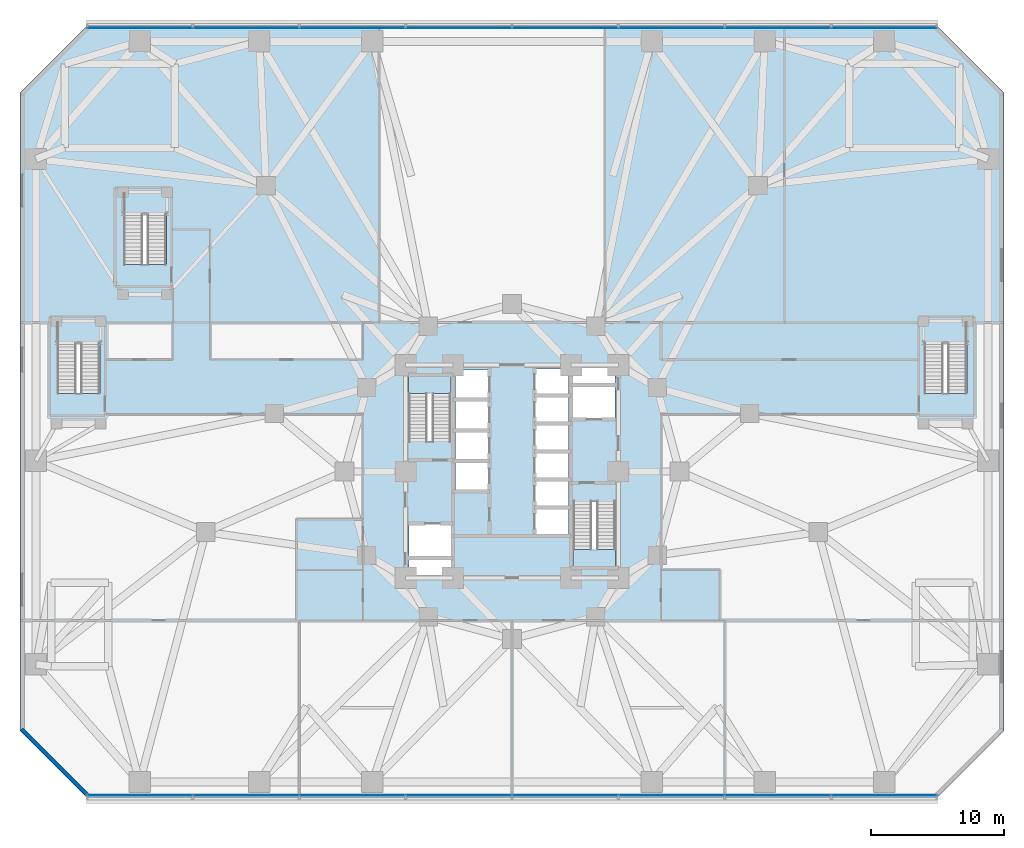
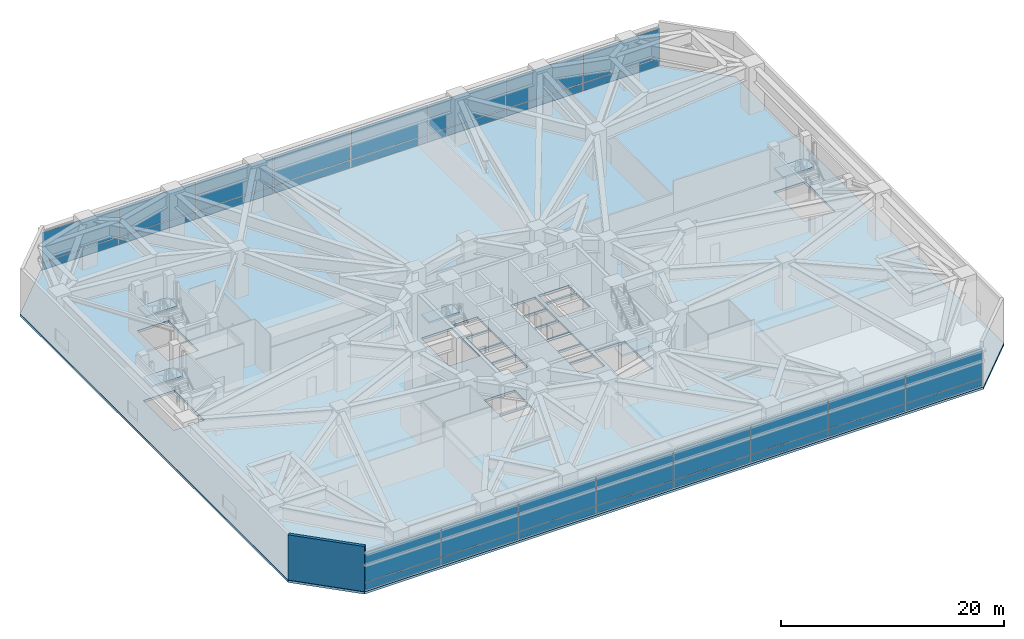
# One storey, part 14 of 27: 32 plates, 6 slabs, 1 wall, 7 elements without a shape of their own.
"""IFC4 building model written with IfcOpenShell, lengths in metres."""

from ifc_helpers import new_model, si_unit, direction, frame, frame_2d, origin, origin_2d, place, context, subcontext, project, spatial, polyline, rectangle, outline, extrude, material, layer, layer_set, type_object, element, aggregate, save


model = new_model("IFC4")

# Units and contexts
model_context = context("Model", 3, precision=1e-05, world=origin(), true_north=direction((0.0, 1.0)))
body_context = subcontext(model_context, "Body", "Model", "MODEL_VIEW")
ifc_project = project(units=[si_unit("LENGTHUNIT", "METRE"), si_unit("AREAUNIT", "SQUARE_METRE"), si_unit("VOLUMEUNIT", "CUBIC_METRE"), si_unit("PLANEANGLEUNIT", "RADIAN"), si_unit("MASSUNIT", "GRAM", prefix="KILO")], contexts=[model_context])

# Site, building, storey
site_placement = place(None, origin())
site = spatial("IfcSite", under=ifc_project, at=site_placement, CompositionType="ELEMENT")
building_placement = place(site_placement, origin())
building = spatial("IfcBuilding", under=site, at=building_placement, Name="Terralouvre Media Tower", CompositionType="ELEMENT")
storey_placement = place(building_placement, frame((0.0, 0.0, 20.800048828125)))
storey = spatial("IfcBuildingStorey", under=building, at=storey_placement, Name="L04", CompositionType="ELEMENT", Elevation=20.800048828125)

# Slab
ifc_material_1 = material(Name="Concrete C45/55", Category="concrete")
ifc_layer_1 = layer(ifc_material_1, 0.25, Name="Podium Acoustic Studio Slab S-POD250")
ifc_layer_set_1 = layer_set([ifc_layer_1], Name="Concrete C45/55")
slab_type_1 = type_object("IfcSlabType", Name="Podium Acoustic Studio Slab S-POD250", PredefinedType="FLOOR", material=ifc_layer_set_1)
slab_1_placement = place(storey_placement, frame((0.0, 0.0, -0.25)))
element("IfcSlab", 1, at=slab_1_placement, inside=storey, type_object=slab_type_1, Name="L04 Structural Floor Slab", PredefinedType="FLOOR", context=body_context, shape_type="SweptSolid", body=[
    extrude(outline(polyline([(-32.0, -24.5), (32.0, -24.5), (37.0, -19.5), (37.0, 28.5), (32.0, 33.5), (-32.0, 33.5), (-37.0, 28.5), (-37.0, -19.5), (-32.0, -24.5)]), holes=[polyline([(-4.60009765625, -7.800048828125), (-7.75, -7.800048828125), (-7.75, -6.60009765625), (-4.60009765625, -6.60009765625), (-4.60009765625, -7.800048828125)]), polyline([(-4.60009765625, -6.39990234375), (-7.75, -6.39990234375), (-7.75, -3.949951171875), (-4.60009765625, -3.949951171875), (-4.60009765625, -6.39990234375)]), polyline([(-1.75, -1.419921875), (-4.25, -1.419921875), (-4.25, 0.719970703125), (-1.75, 0.719970703125), (-1.75, -1.419921875)]), polyline([(4.25, -0.52001953125), (1.75, -0.52001953125), (1.75, 1.419921875), (4.25, 1.419921875), (4.25, -0.52001953125)]), polyline([(-1.75, 0.8798828125), (-4.25, 0.8798828125), (-4.25, 3.02001953125), (-1.75, 3.02001953125), (-1.75, 0.8798828125)]), polyline([(-1.75, 3.179931640625), (-4.25, 3.179931640625), (-4.25, 5.320068359375), (-1.75, 5.320068359375), (-1.75, 3.179931640625)]), polyline([(-4.60009765625, 2.2451171875), (-7.780029296875, 2.2451171875), (-7.780029296875, 7.260009765625), (-4.60009765625, 7.260009765625), (-4.60009765625, 2.2451171875)]), polyline([(-4.25, 5.47998046875), (-4.25, 7.6201171875), (-1.75, 7.6201171875), (-1.75, 5.47998046875), (-4.25, 5.47998046875)]), polyline([(-34.199951171875, 5.875), (-34.199951171875, 11.25), (-31.0, 11.25), (-31.0, 5.875), (-34.199951171875, 5.875)]), polyline([(-26.0, 15.574951171875), (-29.199951171875, 15.574951171875), (-29.199951171875, 20.949951171875), (-26.0, 20.949951171875), (-26.0, 15.574951171875)]), polyline([(4.60009765625, -2.2451171875), (7.780029296875, -2.2451171875), (7.780029296875, -7.260009765625), (4.60009765625, -7.260009765625), (4.60009765625, -2.2451171875)]), polyline([(4.25, -4.719970703125), (1.75, -4.719970703125), (1.75, -2.780029296875), (4.25, -2.780029296875), (4.25, -4.719970703125)]), polyline([(1.75, -2.6201171875), (1.75, -0.679931640625), (4.25, -0.679931640625), (4.25, -2.6201171875), (1.75, -2.6201171875)]), polyline([(1.75, 1.580078125), (1.75, 3.52001953125), (4.25, 3.52001953125), (4.25, 1.580078125), (1.75, 1.580078125)]), polyline([(4.25, 3.679931640625), (1.75, 3.679931640625), (1.75, 5.6201171875), (4.25, 5.6201171875), (4.25, 3.679931640625)]), polyline([(7.75, 3.949951171875), (4.60009765625, 3.949951171875), (4.60009765625, 6.39990234375), (7.75, 6.39990234375), (7.75, 3.949951171875)]), polyline([(4.25, 5.780029296875), (1.75, 5.780029296875), (1.75, 7.719970703125), (4.25, 7.719970703125), (4.25, 5.780029296875)]), polyline([(4.60009765625, 6.60009765625), (4.60009765625, 7.800048828125), (7.75, 7.800048828125), (7.75, 6.60009765625), (4.60009765625, 6.60009765625)]), polyline([(31.0, 5.875), (31.0, 11.25), (34.199951171875, 11.25), (34.199951171875, 5.875), (31.0, 5.875)])]), origin(), (0.0, 0.0, 1.0), 0.25),
])

# Stair, slab
ifc_material_2 = material(Name="Concrete C45/55", Category="concrete")
stair_type_1 = type_object("IfcStairType", Name="Dogleg Stair Assembly ST-01", PredefinedType="HALF_TURN_STAIR", material=ifc_material_2)
stair_1_placement = place(storey_placement, origin())
stair_1 = element("IfcStair", 2, at=stair_1_placement, inside=storey, type_object=stair_type_1, Name="L04 Core Pressurised Exit Stair ST-01", PredefinedType="HALF_TURN_STAIR")
ifc_material_3 = material(Name="Concrete C45/55", Category="concrete")
ifc_layer_2 = layer(ifc_material_3, 0.199951171875, Name="Reinforced Concrete Stair Half-Landing SL-LD1")
ifc_layer_set_2 = layer_set([ifc_layer_2], Name="Concrete C45/55")
slab_type_2 = type_object("IfcSlabType", Name="Reinforced Concrete Stair Half-Landing SL-LD1", PredefinedType="LANDING", material=ifc_layer_set_2)
slab_2_placement = place(storey_placement, frame((0.0, 0.0, 2.39990234375)))
slab_2 = element("IfcSlab", 3, at=slab_2_placement, type_object=slab_type_2, Name="ST-01 landing 1", PredefinedType="LANDING", context=body_context, shape_type="SweptSolid", body=[
    extrude(outline(polyline([(-4.60009765625, 5.860107421875), (-4.60009765625, 7.260009765625), (-7.780029296875, 7.260009765625), (-7.780029296875, 5.860107421875), (-4.60009765625, 5.860107421875)])), origin(), (0.0, 0.0, 1.0), 0.199951171875),
])
aggregate(stair_1, [slab_2])

ifc_material_4 = material(Name="Concrete C45/55", Category="concrete")
stair_type_2 = type_object("IfcStairType", Name="Dogleg Stair Assembly ST-02", PredefinedType="HALF_TURN_STAIR", material=ifc_material_4)
stair_2_placement = place(storey_placement, origin())
stair_2 = element("IfcStair", 4, at=stair_2_placement, inside=storey, type_object=stair_type_2, Name="L04 Core Pressurised Exit Stair ST-02", PredefinedType="HALF_TURN_STAIR")
slab_3_placement = place(storey_placement, frame((0.0, 0.0, 2.39990234375)))
slab_3 = element("IfcSlab", 5, at=slab_3_placement, type_object=slab_type_2, Name="ST-02 landing 1", PredefinedType="LANDING", context=body_context, shape_type="SweptSolid", body=[
    extrude(outline(polyline([(4.60009765625, -5.860107421875), (4.60009765625, -7.260009765625), (7.780029296875, -7.260009765625), (7.780029296875, -5.860107421875), (4.60009765625, -5.860107421875)])), origin(), (0.0, 0.0, 1.0), 0.199951171875),
])
aggregate(stair_2, [slab_3])

ifc_material_5 = material(Name="Concrete C45/55", Category="concrete")
stair_type_3 = type_object("IfcStairType", Name="Dogleg Stair Assembly ST-03", PredefinedType="HALF_TURN_STAIR", material=ifc_material_5)
stair_3_placement = place(storey_placement, origin())
stair_3 = element("IfcStair", 6, at=stair_3_placement, inside=storey, type_object=stair_type_3, Name="L04 West Podium Exit Stair ST-03", PredefinedType="HALF_TURN_STAIR")
slab_4_placement = place(storey_placement, frame((0.0, 0.0, 2.39990234375)))
slab_4 = element("IfcSlab", 7, at=slab_4_placement, type_object=slab_type_2, Name="ST-03 landing 1", PredefinedType="LANDING", context=body_context, shape_type="SweptSolid", body=[
    extrude(outline(polyline([(-31.0, 9.6298828125), (-31.0, 11.25), (-34.199951171875, 11.25), (-34.199951171875, 9.6298828125), (-31.0, 9.6298828125)])), origin(), (0.0, 0.0, 1.0), 0.199951171875),
])
aggregate(stair_3, [slab_4])

ifc_material_6 = material(Name="Concrete C45/55", Category="concrete")
stair_type_4 = type_object("IfcStairType", Name="Dogleg Stair Assembly ST-04", PredefinedType="HALF_TURN_STAIR", material=ifc_material_6)
stair_4_placement = place(storey_placement, origin())
stair_4 = element("IfcStair", 8, at=stair_4_placement, inside=storey, type_object=stair_type_4, Name="L04 East Podium Exit Stair ST-04", PredefinedType="HALF_TURN_STAIR")
slab_5_placement = place(storey_placement, frame((0.0, 0.0, 2.39990234375)))
slab_5 = element("IfcSlab", 9, at=slab_5_placement, type_object=slab_type_2, Name="ST-04 landing 1", PredefinedType="LANDING", context=body_context, shape_type="SweptSolid", body=[
    extrude(outline(polyline([(34.199951171875, 9.6298828125), (34.199951171875, 11.25), (31.0, 11.25), (31.0, 9.6298828125), (34.199951171875, 9.6298828125)])), origin(), (0.0, 0.0, 1.0), 0.199951171875),
])
aggregate(stair_4, [slab_5])

ifc_material_7 = material(Name="Concrete C45/55", Category="concrete")
stair_type_5 = type_object("IfcStairType", Name="Dogleg Stair Assembly ST-06", PredefinedType="HALF_TURN_STAIR", material=ifc_material_7)
stair_5_placement = place(storey_placement, origin())
stair_5 = element("IfcStair", 10, at=stair_5_placement, inside=storey, type_object=stair_type_5, Name="L04 Podium Garden Visitor Stair ST-06", PredefinedType="HALF_TURN_STAIR")
slab_6_placement = place(storey_placement, frame((0.0, 0.0, 2.39990234375)))
slab_6 = element("IfcSlab", 11, at=slab_6_placement, type_object=slab_type_2, Name="ST-06 landing 1", PredefinedType="LANDING", context=body_context, shape_type="SweptSolid", body=[
    extrude(outline(polyline([(-26.0, 19.330078125), (-26.0, 20.949951171875), (-29.199951171875, 20.949951171875), (-29.199951171875, 19.330078125), (-26.0, 19.330078125)])), origin(), (0.0, 0.0, 1.0), 0.199951171875),
])
aggregate(stair_5, [slab_6])

# Curtain wall, plates
ifc_material_8 = material(Name="Low-iron laminated double glazing with solar-control coating", Category="glass")
ifc_layer_3 = layer(ifc_material_8, 0.1650390625, Name="Podium Broadcast Gallery Glazing CW-01")
ifc_layer_set_3 = layer_set([ifc_layer_3], Name="Low-iron laminated double glazing with solar-control coating")
curtain_wall_type = type_object("IfcCurtainWallType", Name="Podium Broadcast Gallery Glazing CW-01", PredefinedType="NOTDEFINED", material=ifc_layer_set_3)
curtain_wall_1_placement = place(storey_placement, origin())
curtain_wall_1 = element("IfcCurtainWall", 12, at=curtain_wall_1_placement, inside=storey, type_object=curtain_wall_type, Name="L04 Podium Curtain Wall F0", PredefinedType="NOTDEFINED")
ifc_material_9 = material(Name="Low-iron laminated double glazing with solar-control coating", Category="glass")
ifc_layer_4 = layer(ifc_material_9, 0.035888671875, Name="Vision Double-Glazed Unit CWP-01")
ifc_layer_set_4 = layer_set([ifc_layer_4], Name="Low-iron laminated double glazing with solar-control coating")
plate_type = type_object("IfcPlateType", Name="Vision Double-Glazed Unit CWP-01", PredefinedType="CURTAIN_PANEL", material=ifc_layer_set_4)
plate_1_placement = place(storey_placement, frame((-27.981201171875, -24.360107421875, 0.074951171875), z_axis=(0.0, 0.0, 1.0), x_axis=(1.0, 0.0, 0.0)))
plate_1 = element("IfcPlate", 13, at=plate_1_placement, type_object=plate_type, Name="CW-01 panel 1.1", PredefinedType="CURTAIN_PANEL", context=body_context, shape_type="SweptSolid", body=[
    extrude(rectangle(XDim=7.887451171875, YDim=0.035888671875, at=origin_2d()), origin(), (0.0, 0.0, 1.0), 0.78759765625),
])
plate_2_placement = place(storey_placement, frame((-27.981201171875, -24.360107421875, 0.9375), z_axis=(0.0, 0.0, 1.0), x_axis=(1.0, 0.0, 0.0)))
plate_2 = element("IfcPlate", 14, at=plate_2_placement, type_object=plate_type, Name="CW-01 panel 1.2", PredefinedType="CURTAIN_PANEL", context=body_context, shape_type="SweptSolid", body=[
    extrude(rectangle(XDim=7.887451171875, YDim=0.035888671875, at=origin_2d()), origin(), (0.0, 0.0, 1.0), 3.20751953125),
])
plate_3_placement = place(storey_placement, frame((-20.0, -24.360107421875, 0.074951171875), z_axis=(0.0, 0.0, 1.0), x_axis=(1.0, 0.0, 0.0)))
plate_3 = element("IfcPlate", 15, at=plate_3_placement, type_object=plate_type, Name="CW-01 panel 2.1", PredefinedType="CURTAIN_PANEL", context=body_context, shape_type="SweptSolid", body=[
    extrude(rectangle(XDim=7.925048828125, YDim=0.035888671875, at=origin_2d()), origin(), (0.0, 0.0, 1.0), 0.78759765625),
])
plate_4_placement = place(storey_placement, frame((-20.0, -24.360107421875, 0.9375), z_axis=(0.0, 0.0, 1.0), x_axis=(1.0, 0.0, 0.0)))
plate_4 = element("IfcPlate", 16, at=plate_4_placement, type_object=plate_type, Name="CW-01 panel 2.2", PredefinedType="CURTAIN_PANEL", context=body_context, shape_type="SweptSolid", body=[
    extrude(rectangle(XDim=7.925048828125, YDim=0.035888671875, at=origin_2d()), origin(), (0.0, 0.0, 1.0), 3.20751953125),
])
plate_5_placement = place(storey_placement, frame((-12.0, -24.360107421875, 0.074951171875), z_axis=(0.0, 0.0, 1.0), x_axis=(1.0, 0.0, 0.0)))
plate_5 = element("IfcPlate", 17, at=plate_5_placement, type_object=plate_type, Name="CW-01 panel 3.1", PredefinedType="CURTAIN_PANEL", context=body_context, shape_type="SweptSolid", body=[
    extrude(rectangle(XDim=7.925048828125, YDim=0.035888671875, at=origin_2d()), origin(), (0.0, 0.0, 1.0), 0.78759765625),
])
plate_6_placement = place(storey_placement, frame((-12.0, -24.360107421875, 0.9375), z_axis=(0.0, 0.0, 1.0), x_axis=(1.0, 0.0, 0.0)))
plate_6 = element("IfcPlate", 18, at=plate_6_placement, type_object=plate_type, Name="CW-01 panel 3.2", PredefinedType="CURTAIN_PANEL", context=body_context, shape_type="SweptSolid", body=[
    extrude(rectangle(XDim=7.925048828125, YDim=0.035888671875, at=origin_2d()), origin(), (0.0, 0.0, 1.0), 3.20751953125),
])
plate_7_placement = place(storey_placement, frame((-4.0, -24.360107421875, 0.074951171875), z_axis=(0.0, 0.0, 1.0), x_axis=(1.0, 0.0, 0.0)))
plate_7 = element("IfcPlate", 19, at=plate_7_placement, type_object=plate_type, Name="CW-01 panel 4.1", PredefinedType="CURTAIN_PANEL", context=body_context, shape_type="SweptSolid", body=[
    extrude(rectangle(XDim=7.925048828125, YDim=0.035888671875, at=origin_2d()), origin(), (0.0, 0.0, 1.0), 0.78759765625),
])
plate_8_placement = place(storey_placement, frame((-4.0, -24.360107421875, 0.9375), z_axis=(0.0, 0.0, 1.0), x_axis=(1.0, 0.0, 0.0)))
plate_8 = element("IfcPlate", 20, at=plate_8_placement, type_object=plate_type, Name="CW-01 panel 4.2", PredefinedType="CURTAIN_PANEL", context=body_context, shape_type="SweptSolid", body=[
    extrude(rectangle(XDim=7.925048828125, YDim=0.035888671875, at=origin_2d()), origin(), (0.0, 0.0, 1.0), 3.20751953125),
])
plate_9_placement = place(storey_placement, frame((4.0, -24.360107421875, 0.074951171875), z_axis=(0.0, 0.0, 1.0), x_axis=(1.0, 0.0, 0.0)))
plate_9 = element("IfcPlate", 21, at=plate_9_placement, type_object=plate_type, Name="CW-01 panel 5.1", PredefinedType="CURTAIN_PANEL", context=body_context, shape_type="SweptSolid", body=[
    extrude(rectangle(XDim=7.925048828125, YDim=0.035888671875, at=origin_2d()), origin(), (0.0, 0.0, 1.0), 0.78759765625),
])
plate_10_placement = place(storey_placement, frame((4.0, -24.360107421875, 0.9375), z_axis=(0.0, 0.0, 1.0), x_axis=(1.0, 0.0, 0.0)))
plate_10 = element("IfcPlate", 22, at=plate_10_placement, type_object=plate_type, Name="CW-01 panel 5.2", PredefinedType="CURTAIN_PANEL", context=body_context, shape_type="SweptSolid", body=[
    extrude(rectangle(XDim=7.925048828125, YDim=0.035888671875, at=origin_2d()), origin(), (0.0, 0.0, 1.0), 3.20751953125),
])
plate_11_placement = place(storey_placement, frame((12.0, -24.360107421875, 0.074951171875), z_axis=(0.0, 0.0, 1.0), x_axis=(1.0, 0.0, 0.0)))
plate_11 = element("IfcPlate", 23, at=plate_11_placement, type_object=plate_type, Name="CW-01 panel 6.1", PredefinedType="CURTAIN_PANEL", context=body_context, shape_type="SweptSolid", body=[
    extrude(rectangle(XDim=7.925048828125, YDim=0.035888671875, at=origin_2d()), origin(), (0.0, 0.0, 1.0), 0.78759765625),
])
plate_12_placement = place(storey_placement, frame((12.0, -24.360107421875, 0.9375), z_axis=(0.0, 0.0, 1.0), x_axis=(1.0, 0.0, 0.0)))
plate_12 = element("IfcPlate", 24, at=plate_12_placement, type_object=plate_type, Name="CW-01 panel 6.2", PredefinedType="CURTAIN_PANEL", context=body_context, shape_type="SweptSolid", body=[
    extrude(rectangle(XDim=7.925048828125, YDim=0.035888671875, at=origin_2d()), origin(), (0.0, 0.0, 1.0), 3.20751953125),
])
plate_13_placement = place(storey_placement, frame((20.0, -24.360107421875, 0.074951171875), z_axis=(0.0, 0.0, 1.0), x_axis=(1.0, 0.0, 0.0)))
plate_13 = element("IfcPlate", 25, at=plate_13_placement, type_object=plate_type, Name="CW-01 panel 7.1", PredefinedType="CURTAIN_PANEL", context=body_context, shape_type="SweptSolid", body=[
    extrude(rectangle(XDim=7.925048828125, YDim=0.035888671875, at=origin_2d()), origin(), (0.0, 0.0, 1.0), 0.78759765625),
])
plate_14_placement = place(storey_placement, frame((20.0, -24.360107421875, 0.9375), z_axis=(0.0, 0.0, 1.0), x_axis=(1.0, 0.0, 0.0)))
plate_14 = element("IfcPlate", 26, at=plate_14_placement, type_object=plate_type, Name="CW-01 panel 7.2", PredefinedType="CURTAIN_PANEL", context=body_context, shape_type="SweptSolid", body=[
    extrude(rectangle(XDim=7.925048828125, YDim=0.035888671875, at=origin_2d()), origin(), (0.0, 0.0, 1.0), 3.20751953125),
])
plate_15_placement = place(storey_placement, frame((27.981201171875, -24.360107421875, 0.074951171875), z_axis=(0.0, 0.0, 1.0), x_axis=(1.0, 0.0, 0.0)))
plate_15 = element("IfcPlate", 27, at=plate_15_placement, type_object=plate_type, Name="CW-01 panel 8.1", PredefinedType="CURTAIN_PANEL", context=body_context, shape_type="SweptSolid", body=[
    extrude(rectangle(XDim=7.887451171875, YDim=0.035888671875, at=origin_2d()), origin(), (0.0, 0.0, 1.0), 0.78759765625),
])
plate_16_placement = place(storey_placement, frame((27.981201171875, -24.360107421875, 0.9375), z_axis=(0.0, 0.0, 1.0), x_axis=(1.0, 0.0, 0.0)))
plate_16 = element("IfcPlate", 28, at=plate_16_placement, type_object=plate_type, Name="CW-01 panel 8.2", PredefinedType="CURTAIN_PANEL", context=body_context, shape_type="SweptSolid", body=[
    extrude(rectangle(XDim=7.887451171875, YDim=0.035888671875, at=origin_2d()), origin(), (0.0, 0.0, 1.0), 3.20751953125),
])
aggregate(curtain_wall_1, [plate_1, plate_2, plate_3, plate_4, plate_5, plate_6, plate_7, plate_8, plate_9, plate_10, plate_11, plate_12, plate_13, plate_14, plate_15, plate_16])

curtain_wall_2_placement = place(storey_placement, origin())
curtain_wall_2 = element("IfcCurtainWall", 29, at=curtain_wall_2_placement, inside=storey, type_object=curtain_wall_type, Name="L04 Podium Curtain Wall F4", PredefinedType="NOTDEFINED")
plate_17_placement = place(storey_placement, frame((27.981201171875, 33.360107421875, 0.074951171875), z_axis=(0.0, 0.0, 1.0), x_axis=(-1.0, 0.0, 0.0)))
plate_17 = element("IfcPlate", 30, at=plate_17_placement, type_object=plate_type, Name="CW-01 panel 1.1", PredefinedType="CURTAIN_PANEL", context=body_context, shape_type="SweptSolid", body=[
    extrude(rectangle(XDim=7.887451171875, YDim=0.035888671875, at=origin_2d()), origin(), (0.0, 0.0, 1.0), 0.78759765625),
])
plate_18_placement = place(storey_placement, frame((27.981201171875, 33.360107421875, 0.9375), z_axis=(0.0, 0.0, 1.0), x_axis=(-1.0, 0.0, 0.0)))
plate_18 = element("IfcPlate", 31, at=plate_18_placement, type_object=plate_type, Name="CW-01 panel 1.2", PredefinedType="CURTAIN_PANEL", context=body_context, shape_type="SweptSolid", body=[
    extrude(rectangle(XDim=7.887451171875, YDim=0.035888671875, at=origin_2d()), origin(), (0.0, 0.0, 1.0), 3.20751953125),
])
plate_19_placement = place(storey_placement, frame((20.0, 33.360107421875, 0.074951171875), z_axis=(0.0, 0.0, 1.0), x_axis=(-1.0, 0.0, 0.0)))
plate_19 = element("IfcPlate", 32, at=plate_19_placement, type_object=plate_type, Name="CW-01 panel 2.1", PredefinedType="CURTAIN_PANEL", context=body_context, shape_type="SweptSolid", body=[
    extrude(rectangle(XDim=7.925048828125, YDim=0.035888671875, at=origin_2d()), origin(), (0.0, 0.0, 1.0), 0.78759765625),
])
plate_20_placement = place(storey_placement, frame((20.0, 33.360107421875, 0.9375), z_axis=(0.0, 0.0, 1.0), x_axis=(-1.0, 0.0, 0.0)))
plate_20 = element("IfcPlate", 33, at=plate_20_placement, type_object=plate_type, Name="CW-01 panel 2.2", PredefinedType="CURTAIN_PANEL", context=body_context, shape_type="SweptSolid", body=[
    extrude(rectangle(XDim=7.925048828125, YDim=0.035888671875, at=origin_2d()), origin(), (0.0, 0.0, 1.0), 3.20751953125),
])
plate_21_placement = place(storey_placement, frame((12.0, 33.360107421875, 0.074951171875), z_axis=(0.0, 0.0, 1.0), x_axis=(-1.0, 0.0, 0.0)))
plate_21 = element("IfcPlate", 34, at=plate_21_placement, type_object=plate_type, Name="CW-01 panel 3.1", PredefinedType="CURTAIN_PANEL", context=body_context, shape_type="SweptSolid", body=[
    extrude(rectangle(XDim=7.925048828125, YDim=0.035888671875, at=origin_2d()), origin(), (0.0, 0.0, 1.0), 0.78759765625),
])
plate_22_placement = place(storey_placement, frame((12.0, 33.360107421875, 0.9375), z_axis=(0.0, 0.0, 1.0), x_axis=(-1.0, 0.0, 0.0)))
plate_22 = element("IfcPlate", 35, at=plate_22_placement, type_object=plate_type, Name="CW-01 panel 3.2", PredefinedType="CURTAIN_PANEL", context=body_context, shape_type="SweptSolid", body=[
    extrude(rectangle(XDim=7.925048828125, YDim=0.035888671875, at=origin_2d()), origin(), (0.0, 0.0, 1.0), 3.20751953125),
])
plate_23_placement = place(storey_placement, frame((4.0, 33.360107421875, 0.074951171875), z_axis=(0.0, 0.0, 1.0), x_axis=(-1.0, 0.0, 0.0)))
plate_23 = element("IfcPlate", 36, at=plate_23_placement, type_object=plate_type, Name="CW-01 panel 4.1", PredefinedType="CURTAIN_PANEL", context=body_context, shape_type="SweptSolid", body=[
    extrude(rectangle(XDim=7.925048828125, YDim=0.035888671875, at=origin_2d()), origin(), (0.0, 0.0, 1.0), 0.78759765625),
])
plate_24_placement = place(storey_placement, frame((4.0, 33.360107421875, 0.9375), z_axis=(0.0, 0.0, 1.0), x_axis=(-1.0, 0.0, 0.0)))
plate_24 = element("IfcPlate", 37, at=plate_24_placement, type_object=plate_type, Name="CW-01 panel 4.2", PredefinedType="CURTAIN_PANEL", context=body_context, shape_type="SweptSolid", body=[
    extrude(rectangle(XDim=7.925048828125, YDim=0.035888671875, at=origin_2d()), origin(), (0.0, 0.0, 1.0), 3.20751953125),
])
plate_25_placement = place(storey_placement, frame((-4.0, 33.360107421875, 0.074951171875), z_axis=(0.0, 0.0, 1.0), x_axis=(-1.0, 0.0, 0.0)))
plate_25 = element("IfcPlate", 38, at=plate_25_placement, type_object=plate_type, Name="CW-01 panel 5.1", PredefinedType="CURTAIN_PANEL", context=body_context, shape_type="SweptSolid", body=[
    extrude(rectangle(XDim=7.925048828125, YDim=0.035888671875, at=origin_2d()), origin(), (0.0, 0.0, 1.0), 0.78759765625),
])
plate_26_placement = place(storey_placement, frame((-4.0, 33.360107421875, 0.9375), z_axis=(0.0, 0.0, 1.0), x_axis=(-1.0, 0.0, 0.0)))
plate_26 = element("IfcPlate", 39, at=plate_26_placement, type_object=plate_type, Name="CW-01 panel 5.2", PredefinedType="CURTAIN_PANEL", context=body_context, shape_type="SweptSolid", body=[
    extrude(rectangle(XDim=7.925048828125, YDim=0.035888671875, at=origin_2d()), origin(), (0.0, 0.0, 1.0), 3.20751953125),
])
plate_27_placement = place(storey_placement, frame((-12.0, 33.360107421875, 0.074951171875), z_axis=(0.0, 0.0, 1.0), x_axis=(-1.0, 0.0, 0.0)))
plate_27 = element("IfcPlate", 40, at=plate_27_placement, type_object=plate_type, Name="CW-01 panel 6.1", PredefinedType="CURTAIN_PANEL", context=body_context, shape_type="SweptSolid", body=[
    extrude(rectangle(XDim=7.925048828125, YDim=0.035888671875, at=origin_2d()), origin(), (0.0, 0.0, 1.0), 0.78759765625),
])
plate_28_placement = place(storey_placement, frame((-12.0, 33.360107421875, 0.9375), z_axis=(0.0, 0.0, 1.0), x_axis=(-1.0, 0.0, 0.0)))
plate_28 = element("IfcPlate", 41, at=plate_28_placement, type_object=plate_type, Name="CW-01 panel 6.2", PredefinedType="CURTAIN_PANEL", context=body_context, shape_type="SweptSolid", body=[
    extrude(rectangle(XDim=7.925048828125, YDim=0.035888671875, at=origin_2d()), origin(), (0.0, 0.0, 1.0), 3.20751953125),
])
plate_29_placement = place(storey_placement, frame((-20.0, 33.360107421875, 0.074951171875), z_axis=(0.0, 0.0, 1.0), x_axis=(-1.0, 0.0, 0.0)))
plate_29 = element("IfcPlate", 42, at=plate_29_placement, type_object=plate_type, Name="CW-01 panel 7.1", PredefinedType="CURTAIN_PANEL", context=body_context, shape_type="SweptSolid", body=[
    extrude(rectangle(XDim=7.925048828125, YDim=0.035888671875, at=origin_2d()), origin(), (0.0, 0.0, 1.0), 0.78759765625),
])
plate_30_placement = place(storey_placement, frame((-20.0, 33.360107421875, 0.9375), z_axis=(0.0, 0.0, 1.0), x_axis=(-1.0, 0.0, 0.0)))
plate_30 = element("IfcPlate", 43, at=plate_30_placement, type_object=plate_type, Name="CW-01 panel 7.2", PredefinedType="CURTAIN_PANEL", context=body_context, shape_type="SweptSolid", body=[
    extrude(rectangle(XDim=7.925048828125, YDim=0.035888671875, at=origin_2d()), origin(), (0.0, 0.0, 1.0), 3.20751953125),
])
plate_31_placement = place(storey_placement, frame((-27.981201171875, 33.360107421875, 0.074951171875), z_axis=(0.0, 0.0, 1.0), x_axis=(-1.0, 0.0, 0.0)))
plate_31 = element("IfcPlate", 44, at=plate_31_placement, type_object=plate_type, Name="CW-01 panel 8.1", PredefinedType="CURTAIN_PANEL", context=body_context, shape_type="SweptSolid", body=[
    extrude(rectangle(XDim=7.887451171875, YDim=0.035888671875, at=origin_2d()), origin(), (0.0, 0.0, 1.0), 0.78759765625),
])
plate_32_placement = place(storey_placement, frame((-27.981201171875, 33.360107421875, 0.9375), z_axis=(0.0, 0.0, 1.0), x_axis=(-1.0, 0.0, 0.0)))
plate_32 = element("IfcPlate", 45, at=plate_32_placement, type_object=plate_type, Name="CW-01 panel 8.2", PredefinedType="CURTAIN_PANEL", context=body_context, shape_type="SweptSolid", body=[
    extrude(rectangle(XDim=7.887451171875, YDim=0.035888671875, at=origin_2d()), origin(), (0.0, 0.0, 1.0), 3.20751953125),
])
aggregate(curtain_wall_2, [plate_17, plate_18, plate_19, plate_20, plate_21, plate_22, plate_23, plate_24, plate_25, plate_26, plate_27, plate_28, plate_29, plate_30, plate_31, plate_32])

# Wall
ifc_material_10 = material(Name="Kiln-fired architectural terracotta rainscreen cladding", Category="masonry")
ifc_layer_5 = layer(ifc_material_10, 0.300048828125, Name="Podium Acoustic Terracotta Cladding Wall EW-TC300")
ifc_layer_set_5 = layer_set([ifc_layer_5], Name="Kiln-fired architectural terracotta rainscreen cladding")
wall_type = type_object("IfcWallType", Name="Podium Acoustic Terracotta Cladding Wall EW-TC300", PredefinedType="SOLIDWALL", material=ifc_layer_set_5)
wall_placement = place(storey_placement, frame((-36.876220703125, -19.376220703125, 0.0), z_axis=(0.0, 0.0, 1.0), x_axis=(0.707106781187, -0.707106781187, 0.0)))
element("IfcWall", 46, at=wall_placement, inside=storey, type_object=wall_type, Name="L04 Podium Terracotta Wall F7", PredefinedType="SOLIDWALL", context=body_context, shape_type="SweptSolid", body=[
    extrude(rectangle(XDim=7.071044921875, YDim=0.300048828125, at=frame_2d((3.53564453125, 0.0))), origin(), (0.0, 0.0, 1.0), 4.93994140625),
])

save(model, "model.ifc")
